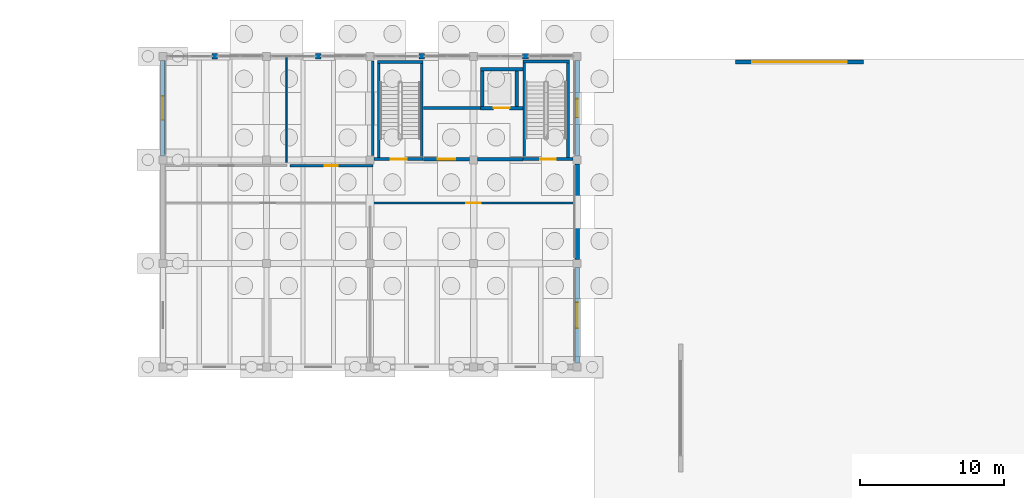
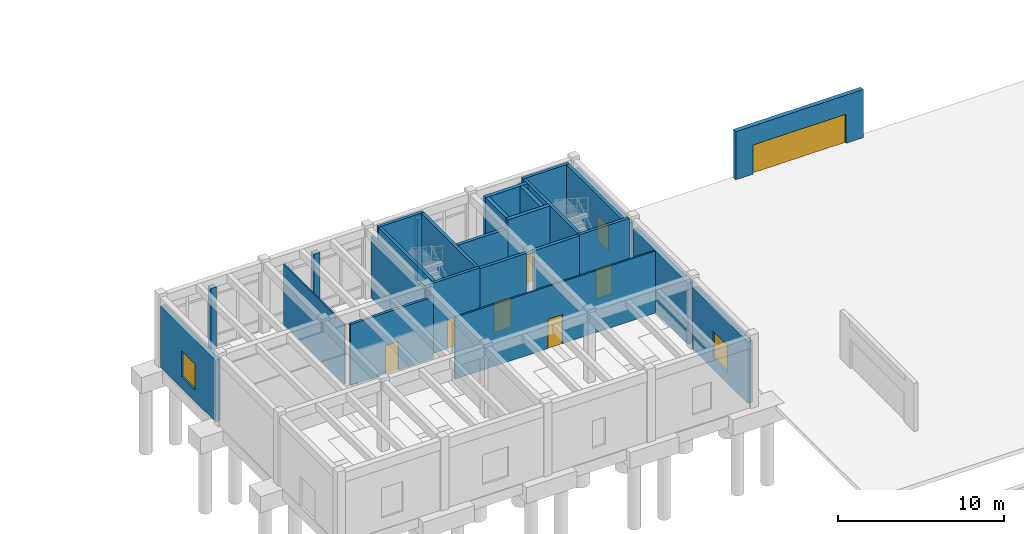
# One storey, part 69 of 93: 28 walls, 7 doors, 3 windows, 10 openings.
"""IFC4 building model written with IfcOpenShell, lengths in metres."""

from ifc_helpers import new_model, si_unit, direction, frame, frame_2d, origin, place, context, subcontext, project, spatial, rectangle, extrude, material, layer, layer_set, type_object, element, fill, save


model = new_model("IFC4")

# Units and contexts
model_context = context("Model", 3, precision=1e-05, world=origin(), true_north=direction((0.0, 1.0)))
body_context = subcontext(model_context, "Body", "Model", "MODEL_VIEW")
ifc_project = project(units=[si_unit("LENGTHUNIT", "METRE"), si_unit("AREAUNIT", "SQUARE_METRE"), si_unit("VOLUMEUNIT", "CUBIC_METRE"), si_unit("PLANEANGLEUNIT", "RADIAN"), si_unit("MASSUNIT", "GRAM", prefix="KILO")], contexts=[model_context])

# Site, building, storey
site_placement = place(None, origin())
site = spatial("IfcSite", under=ifc_project, at=site_placement, CompositionType="ELEMENT")
building_placement = place(site_placement, origin())
building = spatial("IfcBuilding", under=site, at=building_placement, Name="Koriwan Promenade Central Fire Station", CompositionType="ELEMENT")
storey_placement = place(building_placement, origin())
storey = spatial("IfcBuildingStorey", under=building, at=storey_placement, Name="L00", CompositionType="ELEMENT", Elevation=0.0)

# Walls
ifc_material_1 = material(Name="Natural sillar sandstone ashlar", Category="masonry")
ifc_layer_1 = layer(ifc_material_1, 0.360107421875, Name="Natural sillar sandstone ashlar")
ifc_layer_set_1 = layer_set([ifc_layer_1], Name="Natural sillar sandstone ashlar")
wall_type_1 = type_object("IfcWallType", Name="ExtWall_SillarBase_360", PredefinedType="SOLIDWALL", material=ifc_layer_set_1)
for number, where, z_axis, x_axis, name in (
    (1, (97.39990234375, 115.199951171875, 0.0), (0.0, 0.0, 1.0), (-1.0, 0.0, 0.0), "V2 L00 sillar facade mullion pier 50"),
    (2, (90.199951171875, 115.199951171875, 0.0), (0.0, 0.0, 1.0), (-1.0, 0.0, 0.0), "V2 L00 sillar facade mullion pier 51"),
    (3, (83.0, 115.199951171875, 0.0), (0.0, 0.0, 1.0), (-1.0, 0.0, 0.0), "V2 L00 sillar facade mullion pier 52"),
):
    element("IfcWall", number, at=place(storey_placement, frame(where, z_axis=z_axis, x_axis=x_axis)), inside=storey, type_object=wall_type_1, Name=name, PredefinedType="SOLIDWALL", context=body_context, shape_type="SweptSolid", body=[
        extrude(rectangle(XDim=0.39990234375, YDim=0.360107421875, at=frame_2d((0.199951171875, 0.0))), origin(), (0.0, 0.0, 1.0), 4.52001953125),
    ])
wall_1_placement = place(storey_placement, frame((75.800048828125, 115.199951171875, 0.0), z_axis=(0.0, 0.0, 1.0), x_axis=(-1.0, 0.0, 0.0)))
element("IfcWall", 4, at=wall_1_placement, inside=storey, type_object=wall_type_1, Name="V2 L00 sillar facade mullion pier 53", PredefinedType="SOLIDWALL", context=body_context, shape_type="SweptSolid", body=[
    extrude(rectangle(XDim=0.400146484375, YDim=0.360107421875, at=frame_2d((0.2001953125, 0.0))), origin(), (0.0, 0.0, 1.0), 4.5),
])

# Wall, opening, window
ifc_material_2 = material(Name="Precast concrete C40/50", Category="concrete")
ifc_layer_2 = layer(ifc_material_2, 0.320068359375, Name="Precast concrete C40/50")
ifc_layer_set_2 = layer_set([ifc_layer_2], Name="Precast concrete C40/50")
wall_type_2 = type_object("IfcWallType", Name="ExtWall_Terracotta_320", PredefinedType="ELEMENTEDWALL", material=ifc_layer_set_2)
wall_2_placement = place(storey_placement, frame((100.800048828125, 93.875, 0.0), z_axis=(0.0, 0.0, 1.0), x_axis=(0.0, 1.0, 0.0)))
wall_2 = element("IfcWall", 5, at=wall_2_placement, inside=storey, type_object=wall_type_2, Name="V2 L00 exterior wall 47", PredefinedType="ELEMENTEDWALL", context=body_context, shape_type="SweptSolid", body=[
    extrude(rectangle(XDim=6.64990234375, YDim=0.320068359375, at=frame_2d((3.324951171875, 0.0))), origin(), (0.0, 0.0, 1.0), 4.550048828125),
])
opening_1_placement = place(wall_2_placement, frame((2.425048828125, 0.0, 0.85009765625)))
opening_1 = element("IfcOpeningElement", 6, at=opening_1_placement, cuts=wall_2, Name="Opening W-06", PredefinedType="OPENING", context=body_context, shape_type="SweptSolid", body=[
    extrude(rectangle(XDim=1.800048828125, YDim=1.949951171875, at=frame_2d((0.89990234375, 0.97509765625))), frame((0.0, 0.171875, 0.0), z_axis=(0.0, -1.0, 0.0), x_axis=(1.0, 0.0, 0.0)), (0.0, 0.0, 1.0), 0.343994140625),
])
ifc_material_3 = material(Name="Solar-control low-E laminated double glazing", Category="glass")
window_type_1 = type_object("IfcWindowType", Name="Win_HQ_1800x1950", PartitioningType="SINGLE_PANEL", PredefinedType="WINDOW", material=ifc_material_3)
window_1_placement = place(opening_1_placement, origin())
window_1 = element("IfcWindow", 7, at=window_1_placement, inside=storey, type_object=window_type_1, Name="V2 L00 window 0022", OverallHeight=1.949951171875, OverallWidth=1.800048828125, PartitioningType="SINGLE_PANEL", PredefinedType="WINDOW", context=body_context, shape_type="SweptSolid", body=[
    extrude(rectangle(XDim=1.800048828125, YDim=1.949951171875, at=frame_2d((0.89990234375, 0.97509765625))), frame((0.0, 0.030029296875, 0.0), z_axis=(0.0, -1.0, 0.0), x_axis=(1.0, 0.0, 0.0)), (0.0, 0.0, 1.0), 0.06005859375),
])
fill(opening_1, window_1)

# Wall
wall_3_placement = place(storey_placement, frame((100.800048828125, 101.074951171875, 0.0), z_axis=(0.0, 0.0, 1.0), x_axis=(0.0, 1.0, 0.0)))
element("IfcWall", 8, at=wall_3_placement, inside=storey, type_object=wall_type_2, Name="V2 L00 exterior wall 48", PredefinedType="ELEMENTEDWALL", context=body_context, shape_type="SweptSolid", body=[
    extrude(rectangle(XDim=6.650146484375, YDim=0.320068359375, at=frame_2d((3.3251953125, 0.0))), origin(), (0.0, 0.0, 1.0), 4.52001953125),
])

# Wall, opening, window
wall_4_placement = place(storey_placement, frame((100.800048828125, 108.27490234375, 0.0), z_axis=(0.0, 0.0, 1.0), x_axis=(0.0, 1.0, 0.0)))
wall_4 = element("IfcWall", 9, at=wall_4_placement, inside=storey, type_object=wall_type_2, Name="V2 L00 exterior wall 49", PredefinedType="ELEMENTEDWALL", context=body_context, shape_type="SweptSolid", body=[
    extrude(rectangle(XDim=6.650146484375, YDim=0.320068359375, at=frame_2d((3.3251953125, 0.0))), origin(), (0.0, 0.0, 1.0), 4.570068359375),
])
opening_2_placement = place(wall_4_placement, frame((2.675048828125, 0.0, 0.85009765625)))
opening_2 = element("IfcOpeningElement", 10, at=opening_2_placement, cuts=wall_4, Name="Opening W-10", PredefinedType="OPENING", context=body_context, shape_type="SweptSolid", body=[
    extrude(rectangle(XDim=1.300048828125, YDim=1.85009765625, at=frame_2d((0.64990234375, 0.925048828125))), frame((0.0, 0.171875, 0.0), z_axis=(0.0, -1.0, 0.0), x_axis=(1.0, 0.0, 0.0)), (0.0, 0.0, 1.0), 0.343994140625),
])
window_type_2 = type_object("IfcWindowType", Name="Win_Drill_1300x1850", PartitioningType="SINGLE_PANEL", PredefinedType="WINDOW", material=ifc_material_3)
window_2_placement = place(opening_2_placement, origin())
window_2 = element("IfcWindow", 11, at=window_2_placement, inside=storey, type_object=window_type_2, Name="V2 L00 window 0023", OverallHeight=1.85009765625, OverallWidth=1.300048828125, PartitioningType="SINGLE_PANEL", PredefinedType="WINDOW", context=body_context, shape_type="SweptSolid", body=[
    extrude(rectangle(XDim=1.300048828125, YDim=1.85009765625, at=frame_2d((0.64990234375, 0.925048828125))), frame((0.0, 0.030029296875, 0.0), z_axis=(0.0, -1.0, 0.0), x_axis=(1.0, 0.0, 0.0)), (0.0, 0.0, 1.0), 0.06005859375),
])
fill(opening_2, window_2)

wall_5_placement = place(storey_placement, frame((72.0, 114.925048828125, 0.0), z_axis=(0.0, 0.0, 1.0), x_axis=(0.0, -1.0, 0.0)))
wall_5 = element("IfcWall", 12, at=wall_5_placement, inside=storey, type_object=wall_type_2, Name="V2 L00 exterior wall 54", PredefinedType="ELEMENTEDWALL", context=body_context, shape_type="SweptSolid", body=[
    extrude(rectangle(XDim=6.650146484375, YDim=0.320068359375, at=frame_2d((3.3251953125, 0.0))), origin(), (0.0, 0.0, 1.0), 4.550048828125),
])
opening_3_placement = place(wall_5_placement, frame((2.5, 0.0, 0.85009765625)))
opening_3 = element("IfcOpeningElement", 13, at=opening_3_placement, cuts=wall_5, Name="Opening W-15", PredefinedType="OPENING", context=body_context, shape_type="SweptSolid", body=[
    extrude(rectangle(XDim=1.64990234375, YDim=1.89990234375, at=frame_2d((0.824951171875, 0.949951171875))), frame((0.0, 0.171875, 0.0), z_axis=(0.0, -1.0, 0.0), x_axis=(1.0, 0.0, 0.0)), (0.0, 0.0, 1.0), 0.343994140625),
])
window_type_3 = type_object("IfcWindowType", Name="Win_Office_1650x1900", PartitioningType="SINGLE_PANEL", PredefinedType="WINDOW", material=ifc_material_3)
window_3_placement = place(opening_3_placement, origin())
window_3 = element("IfcWindow", 14, at=window_3_placement, inside=storey, type_object=window_type_3, Name="V2 L00 window 0024", OverallHeight=1.89990234375, OverallWidth=1.64990234375, PartitioningType="SINGLE_PANEL", PredefinedType="WINDOW", context=body_context, shape_type="SweptSolid", body=[
    extrude(rectangle(XDim=1.64990234375, YDim=1.89990234375, at=frame_2d((0.824951171875, 0.949951171875))), frame((0.0, 0.030029296875, 0.0), z_axis=(0.0, -1.0, 0.0), x_axis=(1.0, 0.0, 0.0)), (0.0, 0.0, 1.0), 0.06005859375),
])
fill(opening_3, window_3)

# Wall
ifc_material_4 = material(Name="Gypsum board acoustic stud partition", Category="gypsum")
ifc_layer_3 = layer(ifc_material_4, 0.10009765625, Name="Gypsum board acoustic stud partition")
ifc_layer_set_3 = layer_set([ifc_layer_3], Name="Gypsum board acoustic stud partition")
wall_type_3 = type_object("IfcWallType", Name="IntWall_Drywall_100", PredefinedType="PARTITIONING", material=ifc_layer_set_3)
wall_6_placement = place(storey_placement, frame((80.60009765625, 107.820068359375, 0.0), z_axis=(0.0, 0.0, 1.0), x_axis=(0.0, 1.0, 0.0)))
element("IfcWall", 15, at=wall_6_placement, inside=storey, type_object=wall_type_3, Name="Standpipe and Hose Rigging Room partition E", PredefinedType="PARTITIONING", context=body_context, shape_type="SweptSolid", body=[
    extrude(rectangle(XDim=7.3798828125, YDim=0.10009765625, at=frame_2d((3.68994140625, 0.0))), origin(), (0.0, 0.0, 1.0), 4.41796875),
])

# Wall, opening, door
ifc_layer_4 = layer(ifc_material_4, 0.1201171875, Name="Gypsum board acoustic stud partition")
ifc_layer_set_4 = layer_set([ifc_layer_4], Name="Gypsum board acoustic stud partition")
wall_type_4 = type_object("IfcWallType", Name="IntWall_Drywall_120", PredefinedType="PARTITIONING", material=ifc_layer_set_4)
wall_7_placement = place(storey_placement, frame((86.6201171875, 105.0, 0.0), z_axis=(0.0, 0.0, 1.0), x_axis=(1.0, 0.0, 0.0)))
wall_7 = element("IfcWall", 16, at=wall_7_placement, inside=storey, type_object=wall_type_4, Name="Breathing Apparatus Confined-Space Maze partition N", PredefinedType="PARTITIONING", context=body_context, shape_type="SweptSolid", body=[
    extrude(rectangle(XDim=13.9599609375, YDim=0.1201171875, at=frame_2d((6.97998046875, 0.0))), origin(), (0.0, 0.0, 1.0), 4.568115234375),
])
opening_4_placement = place(wall_7_placement, frame((6.47998046875, 0.0, 0.0)))
opening_4 = element("IfcOpeningElement", 17, at=opening_4_placement, cuts=wall_7, Name="Opening D-125", PredefinedType="OPENING", context=body_context, shape_type="SweptSolid", body=[
    extrude(rectangle(XDim=1.0, YDim=2.14990234375, at=frame_2d((0.5, 1.074951171875))), frame((0.0, 0.072021484375, 0.0), z_axis=(0.0, -1.0, 0.0), x_axis=(1.0, 0.0, 0.0)), (0.0, 0.0, 1.0), 0.14404296875),
])
ifc_material_5 = material(Name="Hardwood veneer solid-core timber", Category="wood")
door_type_1 = type_object("IfcDoorType", Name="RoomDoor_Office_1000x2150", OperationType="NOTDEFINED", PredefinedType="DOOR", material=ifc_material_5)
door_1_placement = place(opening_4_placement, origin())
door_1 = element("IfcDoor", 18, at=door_1_placement, inside=storey, type_object=door_type_1, Name="Breathing Apparatus Confined-Space Maze Door D-125", OperationType="SINGLE_SWING_LEFT", OverallHeight=2.14990234375, OverallWidth=1.0, PredefinedType="DOOR", context=body_context, shape_type="SweptSolid", body=[
    extrude(rectangle(XDim=1.0, YDim=2.14990234375, at=frame_2d((0.5, 1.074951171875))), frame((0.0, 0.02490234375, 0.0), z_axis=(0.0, -1.0, 0.0), x_axis=(1.0, 0.0, 0.0)), (0.0, 0.0, 1.0), 0.050048828125),
])
fill(opening_4, door_1)

ifc_material_6 = material(Name="Concrete C35/45 compartment wall", Category="concrete")
ifc_layer_5 = layer(ifc_material_6, 0.219970703125, Name="Concrete C35/45 compartment wall")
ifc_layer_set_5 = layer_set([ifc_layer_5], Name="Concrete C35/45 compartment wall")
wall_type_5 = type_object("IfcWallType", Name="IntWall_Plant_220", PredefinedType="STANDARD", material=ifc_layer_set_5)
wall_8_placement = place(storey_placement, frame((90.10205078125, 108.050048828125, 0.0), z_axis=(0.0, 0.0, 1.0), x_axis=(1.0, 0.0, 0.0)))
wall_8 = element("IfcWall", 19, at=wall_8_placement, inside=storey, type_object=wall_type_5, Name="Drill Tower Firefighting Lift Lobby L00 partition S", PredefinedType="STANDARD", context=body_context, shape_type="SweptSolid", body=[
    extrude(rectangle(XDim=3.220947265625, YDim=0.219970703125, at=frame_2d((1.6103515625, 0.0))), origin(), (0.0, 0.0, 1.0), 5.1201171875),
])
opening_5_placement = place(wall_8_placement, frame((1.010498046875, 0.0, 0.0)))
opening_5 = element("IfcOpeningElement", 20, at=opening_5_placement, cuts=wall_8, Name="Opening D-123", PredefinedType="OPENING", context=body_context, shape_type="SweptSolid", body=[
    extrude(rectangle(XDim=1.199951171875, YDim=2.199951171875, at=frame_2d((0.60009765625, 1.10009765625))), frame((0.0, 0.1220703125, 0.0), z_axis=(0.0, -1.0, 0.0), x_axis=(1.0, 0.0, 0.0)), (0.0, 0.0, 1.0), 0.243896484375),
])
ifc_material_7 = material(Name="Painted galvanized fire-door steel", Category="steel")
door_type_2 = type_object("IfcDoorType", Name="FireDoor_Lobby_1200x2200", OperationType="NOTDEFINED", PredefinedType="DOOR", material=ifc_material_7)
door_2_placement = place(opening_5_placement, origin())
door_2 = element("IfcDoor", 21, at=door_2_placement, inside=storey, type_object=door_type_2, Name="Drill Tower Firefighting Lift Lobby L00 Door D-123", OperationType="SINGLE_SWING_LEFT", OverallHeight=2.199951171875, OverallWidth=1.199951171875, PredefinedType="DOOR", context=body_context, shape_type="SweptSolid", body=[
    extrude(rectangle(XDim=1.199951171875, YDim=2.199951171875, at=frame_2d((0.60009765625, 1.10009765625))), frame((0.0, 0.02490234375, 0.0), z_axis=(0.0, -1.0, 0.0), x_axis=(1.0, 0.0, 0.0)), (0.0, 0.0, 1.0), 0.050048828125),
])
fill(opening_5, door_2)

# Walls
wall_9_placement = place(storey_placement, frame((93.876953125, 108.050048828125, 0.0), z_axis=(0.0, 0.0, 1.0), x_axis=(1.0, 0.0, 0.0)))
element("IfcWall", 22, at=wall_9_placement, inside=storey, type_object=wall_type_5, Name="Drill Tower Firefighting Lift Lobby L00 partition S", PredefinedType="STANDARD", context=body_context, shape_type="SweptSolid", body=[
    extrude(rectangle(XDim=3.14111328125, YDim=0.219970703125, at=frame_2d((1.570556640625, 0.0))), origin(), (0.0, 0.0, 1.0), 5.1201171875),
])
wall_10_placement = place(storey_placement, frame((90.10205078125, 111.60009765625, 0.0), z_axis=(0.0, 0.0, 1.0), x_axis=(1.0, 0.0, 0.0)))
element("IfcWall", 23, at=wall_10_placement, inside=storey, type_object=wall_type_5, Name="Drill Tower Firefighting Lift Lobby L00 partition N", PredefinedType="STANDARD", context=body_context, shape_type="SweptSolid", body=[
    extrude(rectangle(XDim=3.970947265625, YDim=0.219970703125, at=frame_2d((1.9853515625, 0.0))), origin(), (0.0, 0.0, 1.0), 4.51806640625),
])

# Wall, opening, door
ifc_material_8 = material(Name="Moisture-resistant sanitary chase wall", Category="gypsum")
ifc_layer_6 = layer(ifc_material_8, 0.179931640625, Name="Moisture-resistant sanitary chase wall")
ifc_layer_set_6 = layer_set([ifc_layer_6], Name="Moisture-resistant sanitary chase wall")
wall_type_6 = type_object("IfcWallType", Name="IntWall_Plumbing_180", PredefinedType="PLUMBINGWALL", material=ifc_layer_set_6)
wall_11_placement = place(storey_placement, frame((80.820068359375, 107.60009765625, 0.0), z_axis=(0.0, 0.0, 1.0), x_axis=(1.0, 0.0, 0.0)))
wall_11 = element("IfcWall", 24, at=wall_11_placement, inside=storey, type_object=wall_type_6, Name="Drill Ground Male Female and Accessible WCs partition S", PredefinedType="PLUMBINGWALL", context=body_context, shape_type="SweptSolid", body=[
    extrude(rectangle(XDim=5.780029296875, YDim=0.179931640625, at=frame_2d((2.89013671875, 0.0))), origin(), (0.0, 0.0, 1.0), 4.51806640625),
])
opening_6_placement = place(wall_11_placement, frame((2.43994140625, 0.0, 0.0)))
opening_6 = element("IfcOpeningElement", 25, at=opening_6_placement, cuts=wall_11, Name="Opening D-127", PredefinedType="OPENING", context=body_context, shape_type="SweptSolid", body=[
    extrude(rectangle(XDim=0.89990234375, YDim=2.10009765625, at=frame_2d((0.449951171875, 1.050048828125))), frame((0.0, 0.10205078125, 0.0), z_axis=(0.0, -1.0, 0.0), x_axis=(1.0, 0.0, 0.0)), (0.0, 0.0, 1.0), 0.203857421875),
])
ifc_material_9 = material(Name="High-pressure laminate moisture-resistant core", Category="wood")
door_type_3 = type_object("IfcDoorType", Name="RoomDoor_WC_900x2100", OperationType="NOTDEFINED", PredefinedType="DOOR", material=ifc_material_9)
door_3_placement = place(opening_6_placement, origin())
door_3 = element("IfcDoor", 26, at=door_3_placement, inside=storey, type_object=door_type_3, Name="Drill Ground Male Female and Accessible WCs Door D-127", OperationType="SINGLE_SWING_LEFT", OverallHeight=2.10009765625, OverallWidth=0.89990234375, PredefinedType="DOOR", context=body_context, shape_type="SweptSolid", body=[
    extrude(rectangle(XDim=0.89990234375, YDim=2.10009765625, at=frame_2d((0.449951171875, 1.050048828125))), frame((0.0, 0.02490234375, 0.0), z_axis=(0.0, -1.0, 0.0), x_axis=(1.0, 0.0, 0.0)), (0.0, 0.0, 1.0), 0.050048828125),
])
fill(opening_6, door_3)

# Wall
wall_12_placement = place(storey_placement, frame((86.60009765625, 108.31494140625, 0.0), z_axis=(0.0, 0.0, 1.0), x_axis=(0.0, 1.0, 0.0)))
element("IfcWall", 27, at=wall_12_placement, inside=storey, type_object=wall_type_6, Name="Drill Ground Male Female and Accessible WCs partition E", PredefinedType="PLUMBINGWALL", context=body_context, shape_type="SweptSolid", body=[
    extrude(rectangle(XDim=6.570068359375, YDim=0.179931640625, at=frame_2d((3.28515625, 0.0))), origin(), (0.0, 0.0, 1.0), 4.568115234375),
])

# Wall, opening, door
ifc_material_10 = material(Name="Concrete C40/50", Category="concrete")
ifc_layer_7 = layer(ifc_material_10, 0.199951171875, Name="Concrete C40/50")
ifc_layer_set_7 = layer_set([ifc_layer_7], Name="Concrete C40/50")
wall_type_7 = type_object("IfcWallType", Name="ShearWall_200", PredefinedType="SHEAR", material=ifc_layer_set_7)
wall_13_placement = place(storey_placement, frame((97.02001953125, 108.050048828125, 0.0), z_axis=(0.0, 0.0, 1.0), x_axis=(1.0, 0.0, 0.0)))
wall_13 = element("IfcWall", 28, at=wall_13_placement, inside=storey, type_object=wall_type_7, Name="ST04 L00 structural stair wall S", PredefinedType="SHEAR", context=body_context, shape_type="SweptSolid", body=[
    extrude(rectangle(XDim=3.5048828125, YDim=0.199951171875, at=frame_2d((1.75244140625, 0.0))), origin(), (0.0, 0.0, 1.0), 5.179931640625),
])
opening_7_placement = place(wall_13_placement, frame((1.202392578125, 0.0, 0.0)))
opening_7 = element("IfcOpeningElement", 29, at=opening_7_placement, cuts=wall_13, Name="Opening SD-008", PredefinedType="OPENING", context=body_context, shape_type="SweptSolid", body=[
    extrude(rectangle(XDim=1.10009765625, YDim=2.14990234375, at=frame_2d((0.550048828125, 1.074951171875))), frame((0.0, 0.11181640625, 0.0), z_axis=(0.0, -1.0, 0.0), x_axis=(1.0, 0.0, 0.0)), (0.0, 0.0, 1.0), 0.223876953125),
])
door_type_4 = type_object("IfcDoorType", Name="FireDoor_Stair_1100x2150", OperationType="NOTDEFINED", PredefinedType="DOOR", material=ifc_material_7)
door_4_placement = place(opening_7_placement, frame((1.10009765625, 0.0, 0.0), z_axis=(0.0, 0.0, 1.0), x_axis=(-1.0, 0.0, 0.0)))
door_4 = element("IfcDoor", 30, at=door_4_placement, inside=storey, type_object=door_type_4, Name="Protected Stair ST04 Fire Door SD-008", OperationType="SINGLE_SWING_LEFT", OverallHeight=2.14990234375, OverallWidth=1.10009765625, PredefinedType="DOOR", context=body_context, shape_type="SweptSolid", body=[
    extrude(rectangle(XDim=1.10009765625, YDim=2.14990234375, at=frame_2d((0.550048828125, 1.074951171875))), frame((0.0, 0.02490234375, 0.0), z_axis=(0.0, -1.0, 0.0), x_axis=(1.0, 0.0, 0.0)), (0.0, 0.0, 1.0), 0.050048828125),
])
fill(opening_7, door_4)

# Walls
wall_14_placement = place(storey_placement, frame((97.02001953125, 114.85009765625, 0.0), z_axis=(0.0, 0.0, 1.0), x_axis=(1.0, 0.0, 0.0)))
element("IfcWall", 31, at=wall_14_placement, inside=storey, type_object=wall_type_7, Name="ST04 L00 structural stair wall N", PredefinedType="SHEAR", context=body_context, shape_type="SweptSolid", body=[
    extrude(rectangle(XDim=3.22998046875, YDim=0.199951171875, at=frame_2d((1.614990234375, 0.0))), origin(), (0.0, 0.0, 1.0), 5.179931640625),
])
for number, where, z_axis, x_axis, name in (
    (32, (97.1201171875, 108.14990234375, 0.0), (0.0, 0.0, 1.0), (0.0, 1.0, 0.0), "ST04 L00 structural stair wall W"),
    (33, (100.14990234375, 108.14990234375, 0.0), (0.0, 0.0, 1.0), (0.0, 1.0, 0.0), "ST04 L00 structural stair wall E"),
):
    element("IfcWall", number, at=place(storey_placement, frame(where, z_axis=z_axis, x_axis=x_axis)), inside=storey, type_object=wall_type_7, Name=name, PredefinedType="SHEAR", context=body_context, shape_type="SweptSolid", body=[
        extrude(rectangle(XDim=6.60009765625, YDim=0.199951171875, at=frame_2d((3.300048828125, 0.0))), origin(), (0.0, 0.0, 1.0), 5.179931640625),
    ])

# Wall, opening, door
wall_15_placement = place(storey_placement, frame((86.675048828125, 108.050048828125, 0.0), z_axis=(0.0, 0.0, 1.0), x_axis=(1.0, 0.0, 0.0)))
wall_15 = element("IfcWall", 34, at=wall_15_placement, inside=storey, type_object=wall_type_7, Name="ST09 L00 structural stair wall S", PredefinedType="SHEAR", context=body_context, shape_type="SweptSolid", body=[
    extrude(rectangle(XDim=3.425048828125, YDim=0.199951171875, at=frame_2d((1.71240234375, 0.0))), origin(), (0.0, 0.0, 1.0), 5.179931640625),
])
opening_8_placement = place(wall_15_placement, frame((1.16259765625, 0.0, 0.0)))
opening_8 = element("IfcOpeningElement", 35, at=opening_8_placement, cuts=wall_15, Name="Opening SD-014", PredefinedType="OPENING", context=body_context, shape_type="SweptSolid", body=[
    extrude(rectangle(XDim=1.10009765625, YDim=2.14990234375, at=frame_2d((0.550048828125, 1.074951171875))), frame((0.0, 0.11181640625, 0.0), z_axis=(0.0, -1.0, 0.0), x_axis=(1.0, 0.0, 0.0)), (0.0, 0.0, 1.0), 0.223876953125),
])
door_5_placement = place(opening_8_placement, frame((1.10009765625, 0.0, 0.0), z_axis=(0.0, 0.0, 1.0), x_axis=(-1.0, 0.0, 0.0)))
door_5 = element("IfcDoor", 36, at=door_5_placement, inside=storey, type_object=door_type_4, Name="Protected Stair ST09 Fire Door SD-014", OperationType="SINGLE_SWING_LEFT", OverallHeight=2.14990234375, OverallWidth=1.10009765625, PredefinedType="DOOR", context=body_context, shape_type="SweptSolid", body=[
    extrude(rectangle(XDim=1.10009765625, YDim=2.14990234375, at=frame_2d((0.550048828125, 1.074951171875))), frame((0.0, 0.02490234375, 0.0), z_axis=(0.0, -1.0, 0.0), x_axis=(1.0, 0.0, 0.0)), (0.0, 0.0, 1.0), 0.050048828125),
])
fill(opening_8, door_5)

# Walls
wall_16_placement = place(storey_placement, frame((86.909912109375, 114.81005859375, 0.0), z_axis=(0.0, 0.0, 1.0), x_axis=(1.0, 0.0, 0.0)))
element("IfcWall", 37, at=wall_16_placement, inside=storey, type_object=wall_type_7, Name="ST09 L00 structural stair wall N", PredefinedType="SHEAR", context=body_context, shape_type="SweptSolid", body=[
    extrude(rectangle(XDim=3.190185546875, YDim=0.199951171875, at=frame_2d((1.59521484375, 0.0))), origin(), (0.0, 0.0, 1.0), 5.179931640625),
])
for number, where, z_axis, x_axis, name in (
    (38, (87.010009765625, 108.14990234375, 0.0), (0.0, 0.0, 1.0), (0.0, 1.0, 0.0), "ST09 L00 structural stair wall W"),
    (39, (90.0, 108.14990234375, 0.0), (0.0, 0.0, 1.0), (0.0, 1.0, 0.0), "ST09 L00 structural stair wall E"),
):
    element("IfcWall", number, at=place(storey_placement, frame(where, z_axis=z_axis, x_axis=x_axis)), inside=storey, type_object=wall_type_7, Name=name, PredefinedType="SHEAR", context=body_context, shape_type="SweptSolid", body=[
        extrude(rectangle(XDim=6.56005859375, YDim=0.199951171875, at=frame_2d((3.280029296875, 0.0))), origin(), (0.0, 0.0, 1.0), 5.179931640625),
    ])

# Wall, opening, door
ifc_layer_8 = layer(ifc_material_10, 0.25, Name="Concrete C40/50")
ifc_layer_set_8 = layer_set([ifc_layer_8], Name="Concrete C40/50")
wall_type_8 = type_object("IfcWallType", Name="ShearWall_250", PredefinedType="SHEAR", material=ifc_layer_set_8)
wall_17_placement = place(storey_placement, frame((94.074951171875, 111.60009765625, 0.0), z_axis=(0.0, 0.0, 1.0), x_axis=(1.0, 0.0, 0.0)))
wall_17 = element("IfcWall", 40, at=wall_17_placement, inside=storey, type_object=wall_type_8, Name="LF02 shaft wall S (L00)", PredefinedType="SHEAR", context=body_context, shape_type="SweptSolid", body=[
    extrude(rectangle(XDim=2.945068359375, YDim=0.25, at=frame_2d((1.47265625, 0.0))), origin(), (0.0, 0.0, 1.0), 5.179931640625),
])
opening_9_placement = place(wall_17_placement, frame((0.922607421875, 0.0, 0.0)))
opening_9 = element("IfcOpeningElement", 41, at=opening_9_placement, cuts=wall_17, Name="Opening LD-LF02-L00", PredefinedType="OPENING", context=body_context, shape_type="SweptSolid", body=[
    extrude(rectangle(XDim=1.10009765625, YDim=2.14990234375, at=frame_2d((0.550048828125, 1.074951171875))), frame((0.0, 0.136962890625, 0.0), z_axis=(0.0, -1.0, 0.0), x_axis=(1.0, 0.0, 0.0)), (0.0, 0.0, 1.0), 0.27392578125),
])
ifc_material_11 = material(Name="Stainless steel 316", Category="steel")
door_type_5 = type_object("IfcDoorType", Name="LiftDoor_Fire_1100x2150", OperationType="SLIDING_TO_LEFT", PredefinedType="DOOR", material=ifc_material_11)
door_6_placement = place(opening_9_placement, origin())
door_6 = element("IfcDoor", 42, at=door_6_placement, inside=storey, type_object=door_type_5, Name="Lift LF02 Sliding Landing Door LD-LF02-L00", OperationType="SLIDING_TO_LEFT", OverallHeight=2.14990234375, OverallWidth=1.10009765625, PredefinedType="DOOR", context=body_context, shape_type="SweptSolid", body=[
    extrude(rectangle(XDim=1.10009765625, YDim=2.14990234375, at=frame_2d((0.550048828125, 1.074951171875))), frame((0.0, 0.02490234375, 0.0), z_axis=(0.0, -1.0, 0.0), x_axis=(1.0, 0.0, 0.0)), (0.0, 0.0, 1.0), 0.050048828125),
])
fill(opening_9, door_6)

# Walls
wall_18_placement = place(storey_placement, frame((94.074951171875, 114.300048828125, 0.0), z_axis=(0.0, 0.0, 1.0), x_axis=(1.0, 0.0, 0.0)))
element("IfcWall", 43, at=wall_18_placement, inside=storey, type_object=wall_type_8, Name="LF02 shaft wall N (L00)", PredefinedType="SHEAR", context=body_context, shape_type="SweptSolid", body=[
    extrude(rectangle(XDim=2.945068359375, YDim=0.25, at=frame_2d((1.47265625, 0.0))), origin(), (0.0, 0.0, 1.0), 5.179931640625),
])
for number, where, z_axis, x_axis, name in (
    (44, (94.199951171875, 111.72509765625, 0.0), (0.0, 0.0, 1.0), (0.0, 1.0, 0.0), "LF02 shaft wall W (L00)"),
    (45, (96.60009765625, 111.72509765625, 0.0), (0.0, 0.0, 1.0), (0.0, 1.0, 0.0), "LF02 shaft wall E (L00)"),
):
    element("IfcWall", number, at=place(storey_placement, frame(where, z_axis=z_axis, x_axis=x_axis)), inside=storey, type_object=wall_type_8, Name=name, PredefinedType="SHEAR", context=body_context, shape_type="SweptSolid", body=[
        extrude(rectangle(XDim=2.449951171875, YDim=0.25, at=frame_2d((1.22509765625, 0.0))), origin(), (0.0, 0.0, 1.0), 5.179931640625),
    ])

# Wall, opening, door
ifc_layer_9 = layer(ifc_material_1, 0.300048828125, Name="Natural sillar sandstone ashlar")
ifc_layer_set_9 = layer_set([ifc_layer_9], Name="Natural sillar sandstone ashlar")
wall_type_9 = type_object("IfcWallType", Name="SitePortalWall_300", PredefinedType="STANDARD", material=ifc_layer_set_9)
wall_19_placement = place(storey_placement, frame((111.800048828125, 114.800048828125, 0.0), z_axis=(0.0, 0.0, 1.0), x_axis=(1.0, 0.0, 0.0)))
wall_19 = element("IfcWall", 46, at=wall_19_placement, inside=storey, type_object=wall_type_9, Name="Street Car Park Entry Portal structural sillar wall", PredefinedType="STANDARD", context=body_context, shape_type="SweptSolid", body=[
    extrude(rectangle(XDim=8.89990234375, YDim=0.300048828125, at=frame_2d((4.449951171875, 0.0))), origin(), (0.0, 0.0, 1.0), 3.550048828125),
])
opening_10_placement = place(wall_19_placement, frame((1.199951171875, 0.0, 0.0)))
opening_10 = element("IfcOpeningElement", 47, at=opening_10_placement, cuts=wall_19, Name="Opening VG-01", PredefinedType="OPENING", context=body_context, shape_type="SweptSolid", body=[
    extrude(rectangle(XDim=6.5, YDim=2.14990234375, at=frame_2d((3.25, 1.074951171875))), frame((0.0, 0.162109375, 0.0), z_axis=(0.0, -1.0, 0.0), x_axis=(1.0, 0.0, 0.0)), (0.0, 0.0, 1.0), 0.323974609375),
])
ifc_material_12 = material(Name="Aluminium EN AW-6063-T6 and laminated safety glass", Category="aluminium")
door_type_6 = type_object("IfcDoorType", Name="VehicleGate_6500x2150", OperationType="DOUBLE_SWING_LEFT", PredefinedType="DOOR", material=ifc_material_12)
door_7_placement = place(opening_10_placement, frame((6.5, 0.0, 0.0), z_axis=(0.0, 0.0, 1.0), x_axis=(-1.0, 0.0, 0.0)))
door_7 = element("IfcDoor", 48, at=door_7_placement, inside=storey, type_object=door_type_6, Name="Car Park Two-Way Vehicle Access Gate VG-01", OperationType="DOUBLE_SWING_LEFT", OverallHeight=2.14990234375, OverallWidth=6.5, PredefinedType="DOOR", context=body_context, shape_type="SweptSolid", body=[
    extrude(rectangle(XDim=6.5, YDim=2.14990234375, at=frame_2d((3.25, 1.074951171875))), frame((0.0, 0.02490234375, 0.0), z_axis=(0.0, -1.0, 0.0), x_axis=(1.0, 0.0, 0.0)), (0.0, 0.0, 1.0), 0.050048828125),
])
fill(opening_10, door_7)

save(model, "model.ifc")
